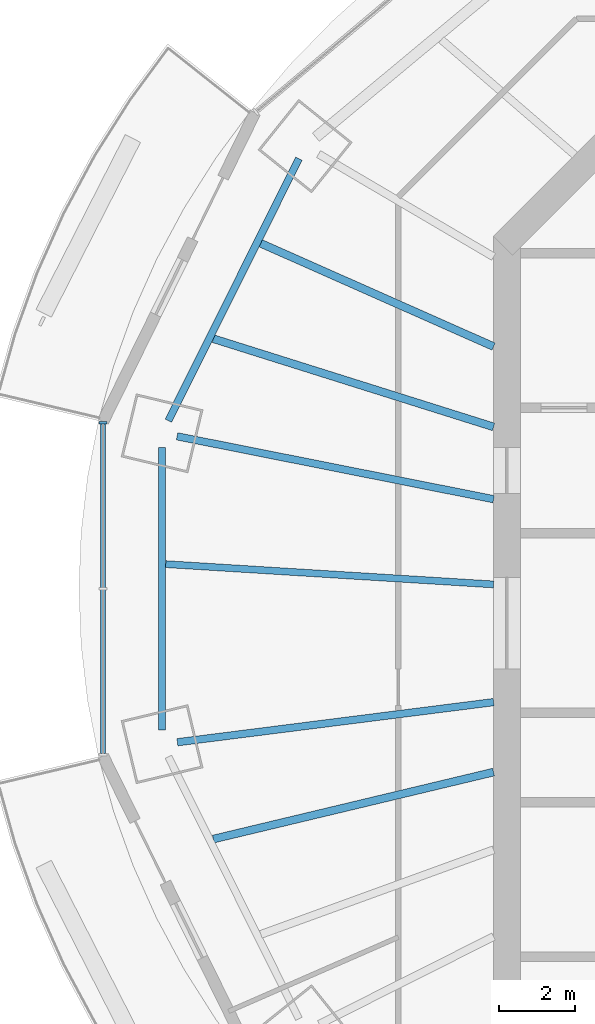
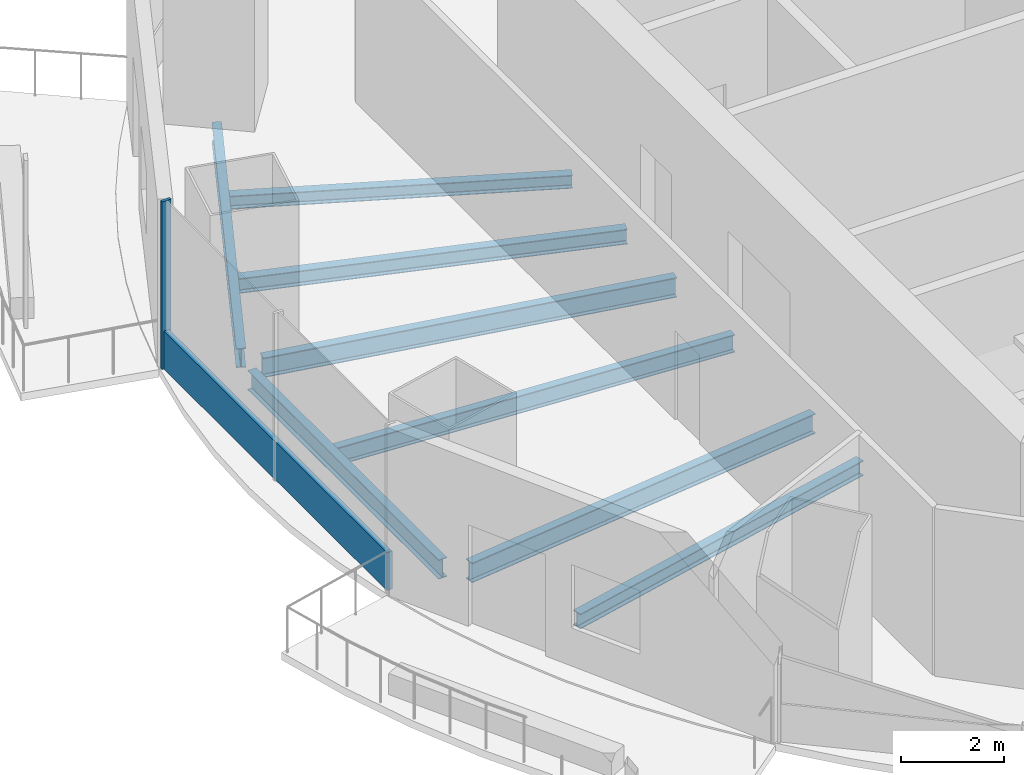
# One storey, part 3 of 16: 8 beams, 2 members, 1 element without a shape of its own.
"""IFC4 building model written with IfcOpenShell, lengths in metres."""

from ifc_helpers import new_model, si_unit, direction, frame, origin, origin_2d, place, context, subcontext, project, spatial, rectangle, i_section, extrude, material, material_profile, profile_set, type_object, element, aggregate, save


model = new_model("IFC4")

# Units and contexts
model_context = context("Model", 3, precision=1e-05, world=origin(), true_north=direction((0.0, 1.0)))
body_context = subcontext(model_context, "Body", "Model", "MODEL_VIEW")
ifc_project = project(units=[si_unit("LENGTHUNIT", "METRE"), si_unit("AREAUNIT", "SQUARE_METRE"), si_unit("VOLUMEUNIT", "CUBIC_METRE"), si_unit("PLANEANGLEUNIT", "RADIAN"), si_unit("MASSUNIT", "GRAM", prefix="KILO")], contexts=[model_context])

# Site, building, storey
site_placement = place(None, origin())
site = spatial("IfcSite", under=ifc_project, at=site_placement, CompositionType="ELEMENT")
building_placement = place(site_placement, origin())
building = spatial("IfcBuilding", under=site, at=building_placement, Name="Marenthal Gate Tower", CompositionType="ELEMENT")
storey_placement = place(building_placement, frame((0.0, 0.0, 355.050048828125)))
storey = spatial("IfcBuildingStorey", under=building, at=storey_placement, Name="L80", CompositionType="ELEMENT", Elevation=355.050048828125)

# Curtain wall, members
ifc_material_1 = material(Name="Aluminium and glass", Category="aluminium")
curtain_wall_type = type_object("IfcCurtainWallType", Name="Curtain wall typical high", PredefinedType="NOTDEFINED", material=ifc_material_1)
curtain_wall_placement = place(storey_placement, origin())
curtain_wall = element("IfcCurtainWall", 1, at=curtain_wall_placement, inside=storey, type_object=curtain_wall_type, Name="Curtain wall L80 bay 8", PredefinedType="NOTDEFINED")
ifc_material_2 = material(Name="Aluminium", Category="aluminium")
ifc_material_profile_1 = material_profile(ifc_material_2, rectangle(XDim=0.199951171875, YDim=0.06005859375, at=origin_2d()), Name="60x200 aluminium mullion")
ifc_profile_set_1 = profile_set([ifc_material_profile_1], Name="Aluminium")
member_type_1 = type_object("IfcMemberType", Name="Mullion 60x200 typical high", PredefinedType="MULLION", material=ifc_profile_set_1)
member_1_placement = place(storey_placement, frame((-26.59375, 5.2548828125, 0.0), z_axis=(0.0, 0.0, 1.0), x_axis=(1.0, 0.0, 0.0)))
member_1 = element("IfcMember", 2, at=member_1_placement, type_object=member_type_1, Name="Mullion L80 bay 8.1", PredefinedType="MULLION", context=body_context, shape_type="SweptSolid", body=[
    extrude(rectangle(XDim=0.199951171875, YDim=0.06005859375, at=origin_2d()), origin(), (0.0, 0.0, 1.0), 3.969970703125),
])
ifc_material_3 = material(Name="Aluminium", Category="aluminium")
ifc_material_profile_2 = material_profile(ifc_material_3, rectangle(XDim=0.1201171875, YDim=0.89990234375, at=origin_2d()), Name="120x900 aluminium transom")
ifc_profile_set_2 = profile_set([ifc_material_profile_2], Name="Aluminium")
member_type_2 = type_object("IfcMemberType", Name="Transom 120x900 typical high", PredefinedType="USERDEFINED", material=ifc_profile_set_2)
member_2_placement = place(storey_placement, frame((-26.59375, 5.224853515625, 0.449951171875), z_axis=(0.0, -1.0, 0.0), x_axis=(1.0, 0.0, 0.0)))
member_2 = element("IfcMember", 3, at=member_2_placement, type_object=member_type_2, Name="Transom L80 bay 8", ObjectType="TRANSOM", PredefinedType="USERDEFINED", context=body_context, shape_type="SweptSolid", body=[
    extrude(rectangle(XDim=0.1201171875, YDim=0.89990234375, at=origin_2d()), origin(), (0.0, 0.0, 1.0), 8.649658203125),
])
aggregate(curtain_wall, [member_1, member_2])

# Beams
ifc_material_4 = material(Name="Steel S355", Category="steel")
ifc_material_profile_3 = material_profile(ifc_material_4, i_section(OverallWidth=0.205078125, OverallDepth=0.31005859375, WebThickness=0.009521484375, FlangeThickness=0.016357421875, FilletRadius=0.0126953125, at=origin_2d()), Name="W310X74")
ifc_profile_set_3 = profile_set([ifc_material_profile_3], Name="Steel S355")
beam_type_1 = type_object("IfcBeamType", Name="W310X74 beam", PredefinedType="BEAM", material=ifc_profile_set_3)
beam_1_placement = place(storey_placement, frame((-22.45556640625, 9.959716796875, -0.3349609375), z_axis=(0.914118784564, -0.405446479462, 0.0), x_axis=(0.405446479462, 0.914118784564, 0.0)))
element("IfcBeam", 4, at=beam_1_placement, inside=storey, type_object=beam_type_1, Name="BM-L80-26", PredefinedType="BEAM", context=body_context, shape_type="SweptSolid", body=[
    extrude(i_section(OverallWidth=0.205078125, OverallDepth=0.31005859375, WebThickness=0.009521484375, FlangeThickness=0.016357421875, FilletRadius=0.0126953125, at=origin_2d()), origin(), (0.0, 0.0, 1.0), 6.678955078125),
])
ifc_material_5 = material(Name="Steel S355", Category="steel")
ifc_material_profile_4 = material_profile(ifc_material_5, i_section(OverallWidth=0.205078125, OverallDepth=0.35302734375, WebThickness=0.009521484375, FlangeThickness=0.016845703125, FilletRadius=0.014892578125, at=origin_2d()), Name="W360X79")
ifc_profile_set_4 = profile_set([ifc_material_profile_4], Name="Steel S355")
beam_type_2 = type_object("IfcBeamType", Name="W360X79 beam", PredefinedType="BEAM", material=ifc_profile_set_4)
beam_2_placement = place(storey_placement, frame((-23.701416015625, 7.45849609375, -0.3564453125), z_axis=(0.953879995414, -0.300188198218, 0.0), x_axis=(0.300188198218, 0.953879995414, 0.0)))
element("IfcBeam", 5, at=beam_2_placement, inside=storey, type_object=beam_type_2, Name="BM-L80-27", PredefinedType="BEAM", context=body_context, shape_type="SweptSolid", body=[
    extrude(i_section(OverallWidth=0.205078125, OverallDepth=0.35302734375, WebThickness=0.009521484375, FlangeThickness=0.016845703125, FilletRadius=0.014892578125, at=origin_2d()), origin(), (0.0, 0.0, 1.0), 7.706787109375),
])
beam_3_placement = place(storey_placement, frame((-23.6982421875, -5.664794921875, -0.3564453125), z_axis=(0.972596050115, 0.232501447956, 0.0), x_axis=(-0.232501447956, 0.972596050115, 0.0)))
element("IfcBeam", 6, at=beam_3_placement, inside=storey, type_object=beam_type_2, Name="BM-L80-29", PredefinedType="BEAM", context=body_context, shape_type="SweptSolid", body=[
    extrude(i_section(OverallWidth=0.205078125, OverallDepth=0.35302734375, WebThickness=0.009521484375, FlangeThickness=0.016845703125, FilletRadius=0.014892578125, at=origin_2d()), origin(), (0.0, 0.0, 1.0), 7.55517578125),
])
ifc_material_6 = material(Name="Steel S355", Category="steel")
ifc_material_profile_5 = material_profile(ifc_material_6, i_section(OverallWidth=0.180908203125, OverallDepth=0.4169921875, WebThickness=0.010986328125, FlangeThickness=0.018310546875, FilletRadius=0.01025390625, at=origin_2d()), Name="W410X85")
ifc_profile_set_5 = profile_set([ifc_material_profile_5], Name="Steel S355")
beam_type_3 = type_object("IfcBeamType", Name="W410X85 beam", PredefinedType="BEAM", material=ifc_profile_set_5)
beam_4_placement = place(storey_placement, frame((-24.94873046875, 1.54638671875, -0.388427734375), z_axis=(0.998084643441, -0.061863111205, 0.0), x_axis=(0.061863111205, 0.998084643441, 0.0)))
element("IfcBeam", 7, at=beam_4_placement, inside=storey, type_object=beam_type_3, Name="BM-L80-28", PredefinedType="BEAM", context=body_context, shape_type="SweptSolid", body=[
    extrude(i_section(OverallWidth=0.180908203125, OverallDepth=0.4169921875, WebThickness=0.010986328125, FlangeThickness=0.018310546875, FilletRadius=0.01025390625, at=origin_2d()), origin(), (0.0, 0.0, 1.0), 8.615234375),
])
ifc_material_7 = material(Name="Steel S355", Category="steel")
ifc_material_profile_6 = material_profile(ifc_material_7, i_section(OverallWidth=0.19091796875, OverallDepth=0.45703125, WebThickness=0.009033203125, FlangeThickness=0.014404296875, FilletRadius=0.01025390625, at=origin_2d()), Name="W460X74")
ifc_profile_set_6 = profile_set([ifc_material_profile_6], Name="Steel S355")
beam_type_4 = type_object("IfcBeamType", Name="W460X74 beam", PredefinedType="BEAM", material=ifc_profile_set_6)
beam_5_placement = place(storey_placement, frame((-21.457275390625, 12.177978515625, -0.408447265625), z_axis=(-0.445851213562, -0.895107085977, 0.0), x_axis=(0.895107085977, -0.445851213562, 0.0)))
element("IfcBeam", 8, at=beam_5_placement, inside=storey, type_object=beam_type_4, Name="BM-L80-46", PredefinedType="BEAM", context=body_context, shape_type="SweptSolid", body=[
    extrude(i_section(OverallWidth=0.19091796875, OverallDepth=0.45703125, WebThickness=0.009033203125, FlangeThickness=0.014404296875, FilletRadius=0.01025390625, at=origin_2d()), origin(), (0.0, 0.0, 1.0), 7.6728515625),
])
beam_6_placement = place(storey_placement, frame((-25.044189453125, 4.6025390625, -0.408447265625), z_axis=(0.0, -1.0, 0.0), x_axis=(1.0, 0.0, 0.0)))
element("IfcBeam", 9, at=beam_6_placement, inside=storey, type_object=beam_type_4, Name="BM-L80-47", PredefinedType="BEAM", context=body_context, shape_type="SweptSolid", body=[
    extrude(i_section(OverallWidth=0.19091796875, OverallDepth=0.45703125, WebThickness=0.009033203125, FlangeThickness=0.014404296875, FilletRadius=0.01025390625, at=origin_2d()), origin(), (0.0, 0.0, 1.0), 7.405029296875),
])
ifc_material_8 = material(Name="Steel S355", Category="steel")
ifc_material_profile_7 = material_profile(ifc_material_8, i_section(OverallWidth=0.193115234375, OverallDepth=0.467041015625, WebThickness=0.011474609375, FlangeThickness=0.01904296875, FilletRadius=0.010009765625, at=origin_2d()), Name="W460X97")
ifc_profile_set_7 = profile_set([ifc_material_profile_7], Name="Steel S355")
beam_type_5 = type_object("IfcBeamType", Name="W460X97 beam", PredefinedType="BEAM", material=ifc_profile_set_7)
beam_7_placement = place(storey_placement, frame((-24.651123046875, 4.8984375, -0.41357421875), z_axis=(0.98082510834, -0.194889986528, 0.0), x_axis=(0.194889986528, 0.98082510834, 0.0)))
element("IfcBeam", 10, at=beam_7_placement, inside=storey, type_object=beam_type_5, Name="BM-L80-08", PredefinedType="BEAM", context=body_context, shape_type="SweptSolid", body=[
    extrude(i_section(OverallWidth=0.193115234375, OverallDepth=0.467041015625, WebThickness=0.011474609375, FlangeThickness=0.01904296875, FilletRadius=0.010009765625, at=origin_2d()), origin(), (0.0, 0.0, 1.0), 8.46337890625),
])
beam_8_placement = place(storey_placement, frame((-24.64208984375, -3.12548828125, -0.41357421875), z_axis=(0.992051564732, 0.125832002734, 0.0), x_axis=(-0.125832002734, 0.992051564732, 0.0)))
element("IfcBeam", 11, at=beam_8_placement, inside=storey, type_object=beam_type_5, Name="BM-L80-09", PredefinedType="BEAM", context=body_context, shape_type="SweptSolid", body=[
    extrude(i_section(OverallWidth=0.193115234375, OverallDepth=0.467041015625, WebThickness=0.011474609375, FlangeThickness=0.01904296875, FilletRadius=0.010009765625, at=origin_2d()), origin(), (0.0, 0.0, 1.0), 8.3583984375),
])

save(model, "model.ifc")
